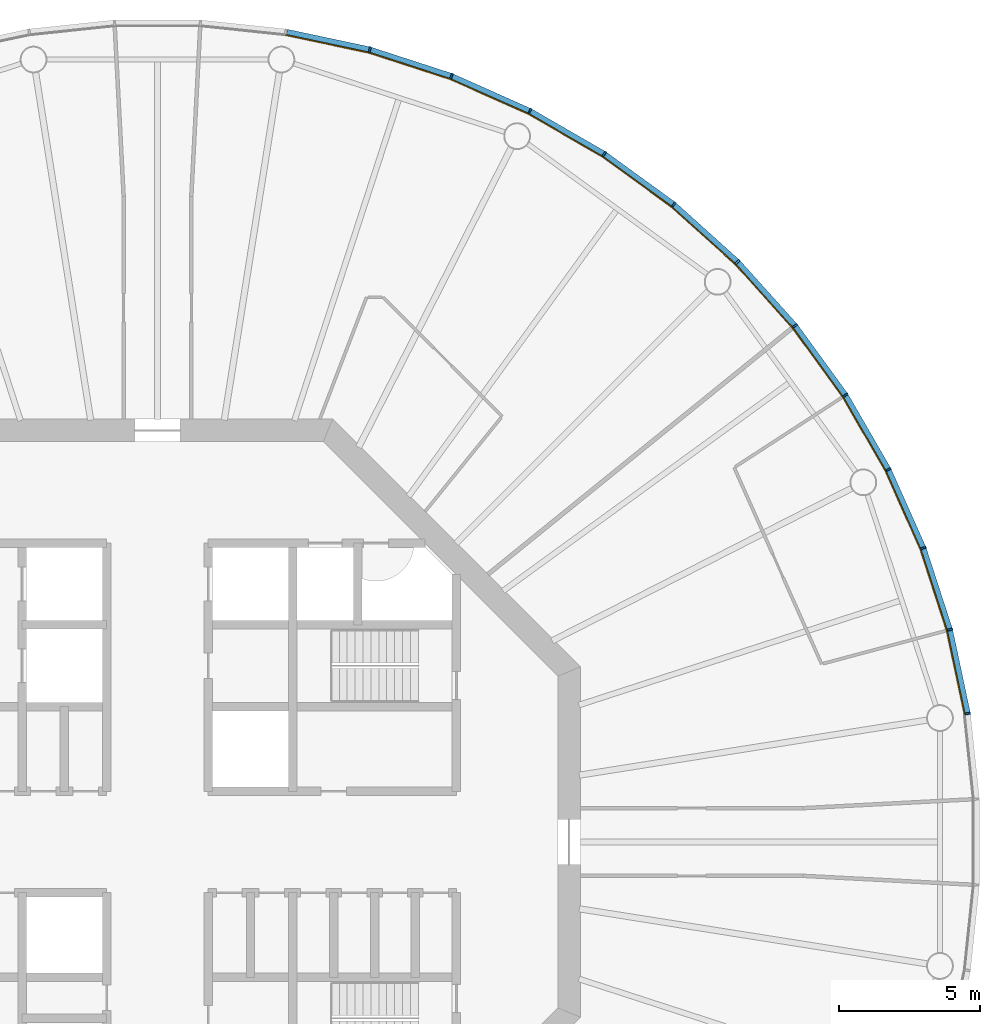
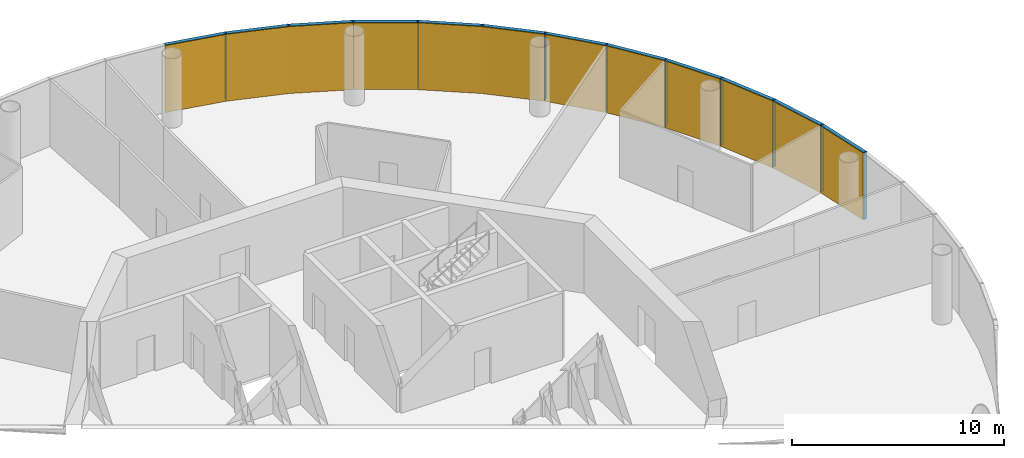
# One storey, part 12 of 13: 24 members, 4 curtain walls.
"""IFC4 building model written with IfcOpenShell, lengths in metres."""

from ifc_helpers import new_model, si_unit, direction, frame, origin, origin_2d, place, context, subcontext, project, spatial, polyline, rectangle, outline, extrude, material, layer, layer_set, material_profile, profile_set, type_object, element, aggregate, save


model = new_model("IFC4")

# Units and contexts
model_context = context("Model", 3, precision=1e-05, world=origin(), true_north=direction((0.0, 1.0)))
body_context = subcontext(model_context, "Body", "Model", "MODEL_VIEW")
ifc_project = project(units=[si_unit("LENGTHUNIT", "METRE"), si_unit("AREAUNIT", "SQUARE_METRE"), si_unit("VOLUMEUNIT", "CUBIC_METRE"), si_unit("PLANEANGLEUNIT", "RADIAN"), si_unit("MASSUNIT", "GRAM", prefix="KILO")], contexts=[model_context])

# Member
ifc_material_1 = material(Name="Anodised aluminium", Category="aluminium")
ifc_material_profile_1 = material_profile(ifc_material_1, rectangle(XDim=0.06494140625, YDim=0.195068359375, at=origin_2d()), Name="Mullion 65 x 195 mm anodised aluminium")
ifc_profile_set_1 = profile_set([ifc_material_profile_1], Name="Anodised aluminium")
member_type_1 = type_object("IfcMemberType", Name="Mullion 65 x 195 mm anodised aluminium", PredefinedType="MULLION", material=ifc_profile_set_1)
site_placement = place(None, origin())
building_placement = place(site_placement, origin())
storey_placement = place(building_placement, frame((0.0, 0.0, 318.0)))
member_1_placement = place(storey_placement, frame((118.7392578125, 84.5517578125, 0.0), z_axis=(0.0, 0.0, 1.0), x_axis=(-0.15643446504, 0.987688340595, 0.0)))
member_1 = element("IfcMember", 1, at=member_1_placement, type_object=member_type_1, Name="MULLION L73-00", PredefinedType="MULLION", context=body_context, shape_type="SweptSolid", body=[
    extrude(rectangle(XDim=0.06494140625, YDim=0.195068359375, at=origin_2d()), origin(), (0.0, 0.0, 1.0), 3.85009765625),
])

member_2_placement = place(storey_placement, frame((118.10595703125, 87.531005859375, 0.0), z_axis=(0.0, 0.0, 1.0), x_axis=(-0.258819045103, 0.965925826289, 0.0)))
member_2 = element("IfcMember", 2, at=member_2_placement, type_object=member_type_1, Name="MULLION L73-01", PredefinedType="MULLION", context=body_context, shape_type="SweptSolid", body=[
    extrude(rectangle(XDim=0.06494140625, YDim=0.195068359375, at=origin_2d()), origin(), (0.0, 0.0, 1.0), 3.85009765625),
])

member_3_placement = place(storey_placement, frame((117.164794921875, 90.427490234375, 0.0), z_axis=(0.0, 0.0, 1.0), x_axis=(-0.358367949545, 0.933580426497, 0.0)))
member_3 = element("IfcMember", 3, at=member_3_placement, type_object=member_type_1, Name="MULLION L73-02", PredefinedType="MULLION", context=body_context, shape_type="SweptSolid", body=[
    extrude(rectangle(XDim=0.06494140625, YDim=0.195068359375, at=origin_2d()), origin(), (0.0, 0.0, 1.0), 3.85009765625),
])

member_4_placement = place(storey_placement, frame((115.926025390625, 93.2099609375, 0.0), z_axis=(0.0, 0.0, 1.0), x_axis=(-0.45399049974, 0.891006524188, 0.0)))
member_4 = element("IfcMember", 4, at=member_4_placement, type_object=member_type_1, Name="MULLION L73-03", PredefinedType="MULLION", context=body_context, shape_type="SweptSolid", body=[
    extrude(rectangle(XDim=0.06494140625, YDim=0.195068359375, at=origin_2d()), origin(), (0.0, 0.0, 1.0), 3.85009765625),
])

member_5_placement = place(storey_placement, frame((114.4033203125, 95.84765625, 0.0), z_axis=(0.0, 0.0, 1.0), x_axis=(-0.544639035015, 0.838670567945, 0.0)))
member_5 = element("IfcMember", 5, at=member_5_placement, type_object=member_type_1, Name="MULLION L73-04", PredefinedType="MULLION", context=body_context, shape_type="SweptSolid", body=[
    extrude(rectangle(XDim=0.06494140625, YDim=0.195068359375, at=origin_2d()), origin(), (0.0, 0.0, 1.0), 3.85009765625),
])

member_6_placement = place(storey_placement, frame((112.613037109375, 98.311767578125, 0.0), z_axis=(0.0, 0.0, 1.0), x_axis=(-0.62932039105, 0.777145961457, 0.0)))
member_6 = element("IfcMember", 6, at=member_6_placement, type_object=member_type_1, Name="MULLION L73-05", PredefinedType="MULLION", context=body_context, shape_type="SweptSolid", body=[
    extrude(rectangle(XDim=0.06494140625, YDim=0.195068359375, at=origin_2d()), origin(), (0.0, 0.0, 1.0), 3.85009765625),
])

member_7_placement = place(storey_placement, frame((110.574951171875, 100.574951171875, 0.0), z_axis=(0.0, 0.0, 1.0), x_axis=(-0.707106781187, 0.707106781187, 0.0)))
member_7 = element("IfcMember", 7, at=member_7_placement, type_object=member_type_1, Name="MULLION L73-06", PredefinedType="MULLION", context=body_context, shape_type="SweptSolid", body=[
    extrude(rectangle(XDim=0.06494140625, YDim=0.195068359375, at=origin_2d()), origin(), (0.0, 0.0, 1.0), 3.85009765625),
])

member_8_placement = place(storey_placement, frame((108.311767578125, 102.613037109375, 0.0), z_axis=(0.0, 0.0, 1.0), x_axis=(-0.777145961457, 0.62932039105, 0.0)))
member_8 = element("IfcMember", 8, at=member_8_placement, type_object=member_type_1, Name="MULLION L73-07", PredefinedType="MULLION", context=body_context, shape_type="SweptSolid", body=[
    extrude(rectangle(XDim=0.06494140625, YDim=0.195068359375, at=origin_2d()), origin(), (0.0, 0.0, 1.0), 3.85009765625),
])

member_9_placement = place(storey_placement, frame((105.84765625, 104.4033203125, 0.0), z_axis=(0.0, 0.0, 1.0), x_axis=(-0.838670567945, 0.544639035015, 0.0)))
member_9 = element("IfcMember", 9, at=member_9_placement, type_object=member_type_1, Name="MULLION L73-08", PredefinedType="MULLION", context=body_context, shape_type="SweptSolid", body=[
    extrude(rectangle(XDim=0.06494140625, YDim=0.195068359375, at=origin_2d()), origin(), (0.0, 0.0, 1.0), 3.85009765625),
])

member_10_placement = place(storey_placement, frame((103.2099609375, 105.926025390625, 0.0), z_axis=(0.0, 0.0, 1.0), x_axis=(-0.891006524188, 0.45399049974, 0.0)))
member_10 = element("IfcMember", 10, at=member_10_placement, type_object=member_type_1, Name="MULLION L73-09", PredefinedType="MULLION", context=body_context, shape_type="SweptSolid", body=[
    extrude(rectangle(XDim=0.06494140625, YDim=0.195068359375, at=origin_2d()), origin(), (0.0, 0.0, 1.0), 3.85009765625),
])

member_11_placement = place(storey_placement, frame((100.427490234375, 107.164794921875, 0.0), z_axis=(0.0, 0.0, 1.0), x_axis=(-0.933580426497, 0.358367949545, 0.0)))
member_11 = element("IfcMember", 11, at=member_11_placement, type_object=member_type_1, Name="MULLION L73-10", PredefinedType="MULLION", context=body_context, shape_type="SweptSolid", body=[
    extrude(rectangle(XDim=0.06494140625, YDim=0.195068359375, at=origin_2d()), origin(), (0.0, 0.0, 1.0), 3.85009765625),
])

member_12_placement = place(storey_placement, frame((97.531005859375, 108.10595703125, 0.0), z_axis=(0.0, 0.0, 1.0), x_axis=(-0.965925826289, 0.258819045103, 0.0)))
member_12 = element("IfcMember", 12, at=member_12_placement, type_object=member_type_1, Name="MULLION L73-11", PredefinedType="MULLION", context=body_context, shape_type="SweptSolid", body=[
    extrude(rectangle(XDim=0.06494140625, YDim=0.195068359375, at=origin_2d()), origin(), (0.0, 0.0, 1.0), 3.85009765625),
])

ifc_material_2 = material(Name="Anodised aluminium", Category="aluminium")
ifc_material_profile_2 = material_profile(ifc_material_2, rectangle(XDim=0.195068359375, YDim=0.179931640625, at=origin_2d()), Name="Transom 180 x 195 mm anodised aluminium")
ifc_profile_set_2 = profile_set([ifc_material_profile_2], Name="Anodised aluminium")
member_type_2 = type_object("IfcMemberType", Name="Transom 180 x 195 mm anodised aluminium", PredefinedType="USERDEFINED", material=ifc_profile_set_2)
member_13_placement = place(storey_placement, frame((118.731689453125, 84.588623046875, 3.760009765625), z_axis=(-0.207940342877, 0.978141510112, 0.0), x_axis=(-0.978141510112, -0.207940342877, 0.0)))
member_13 = element("IfcMember", 13, at=member_13_placement, type_object=member_type_2, Name="TRANSOM L73-00", ObjectType="TRANSOM", PredefinedType="USERDEFINED", context=body_context, shape_type="SweptSolid", body=[
    extrude(rectangle(XDim=0.195068359375, YDim=0.179931640625, at=origin_2d()), origin(), (0.0, 0.0, 1.0), 2.970458984375),
])

member_14_placement = place(storey_placement, frame((118.094482421875, 87.56689453125, 3.760009765625), z_axis=(-0.309043326415, 0.951047960094, 0.0), x_axis=(-0.951047960094, -0.309043326415, 0.0)))
member_14 = element("IfcMember", 14, at=member_14_placement, type_object=member_type_2, Name="TRANSOM L73-01", ObjectType="TRANSOM", PredefinedType="USERDEFINED", context=body_context, shape_type="SweptSolid", body=[
    extrude(rectangle(XDim=0.195068359375, YDim=0.179931640625, at=origin_2d()), origin(), (0.0, 0.0, 1.0), 2.970458984375),
])

member_15_placement = place(storey_placement, frame((117.149658203125, 90.4619140625, 3.760009765625), z_axis=(-0.406725527369, 0.913550406593, 0.0), x_axis=(-0.913550406593, -0.406725527369, 0.0)))
member_15 = element("IfcMember", 15, at=member_15_placement, type_object=member_type_2, Name="TRANSOM L73-02", ObjectType="TRANSOM", PredefinedType="USERDEFINED", context=body_context, shape_type="SweptSolid", body=[
    extrude(rectangle(XDim=0.195068359375, YDim=0.179931640625, at=origin_2d()), origin(), (0.0, 0.0, 1.0), 2.970703125),
])

member_16_placement = place(storey_placement, frame((115.907470703125, 93.24267578125, 3.760009765625), z_axis=(-0.500028367561, 0.866009025146, 0.0), x_axis=(-0.866009025146, -0.500028367561, 0.0)))
member_16 = element("IfcMember", 16, at=member_16_placement, type_object=member_type_2, Name="TRANSOM L73-03", ObjectType="TRANSOM", PredefinedType="USERDEFINED", context=body_context, shape_type="SweptSolid", body=[
    extrude(rectangle(XDim=0.195068359375, YDim=0.179931640625, at=origin_2d()), origin(), (0.0, 0.0, 1.0), 2.970458984375),
])

member_17_placement = place(storey_placement, frame((114.381103515625, 95.878173828125, 3.760009765625), z_axis=(-0.587765987476, 0.809030990733, 0.0), x_axis=(-0.809030990733, -0.587765987476, 0.0)))
member_17 = element("IfcMember", 17, at=member_17_placement, type_object=member_type_2, Name="TRANSOM L73-04", ObjectType="TRANSOM", PredefinedType="USERDEFINED", context=body_context, shape_type="SweptSolid", body=[
    extrude(rectangle(XDim=0.195068359375, YDim=0.179931640625, at=origin_2d()), origin(), (0.0, 0.0, 1.0), 2.97021484375),
])

member_18_placement = place(storey_placement, frame((112.587890625, 98.339599609375, 3.760009765625), z_axis=(-0.669110027395, 0.743163354343, 0.0), x_axis=(-0.743163354343, -0.669110027395, 0.0)))
member_18 = element("IfcMember", 18, at=member_18_placement, type_object=member_type_2, Name="TRANSOM L73-05", ObjectType="TRANSOM", PredefinedType="USERDEFINED", context=body_context, shape_type="SweptSolid", body=[
    extrude(rectangle(XDim=0.195068359375, YDim=0.179931640625, at=origin_2d()), origin(), (0.0, 0.0, 1.0), 2.970458984375),
])

member_19_placement = place(storey_placement, frame((110.547119140625, 100.600341796875, 3.760009765625), z_axis=(-0.743163354343, 0.669110027395, 0.0), x_axis=(-0.669110027395, -0.743163354343, 0.0)))
member_19 = element("IfcMember", 19, at=member_19_placement, type_object=member_type_2, Name="TRANSOM L73-06", ObjectType="TRANSOM", PredefinedType="USERDEFINED", context=body_context, shape_type="SweptSolid", body=[
    extrude(rectangle(XDim=0.195068359375, YDim=0.179931640625, at=origin_2d()), origin(), (0.0, 0.0, 1.0), 2.970458984375),
])

member_20_placement = place(storey_placement, frame((108.28125, 102.63525390625, 3.760009765625), z_axis=(-0.809030990733, 0.587765987476, 0.0), x_axis=(-0.587765987476, -0.809030990733, 0.0)))
member_20 = element("IfcMember", 20, at=member_20_placement, type_object=member_type_2, Name="TRANSOM L73-07", ObjectType="TRANSOM", PredefinedType="USERDEFINED", context=body_context, shape_type="SweptSolid", body=[
    extrude(rectangle(XDim=0.195068359375, YDim=0.179931640625, at=origin_2d()), origin(), (0.0, 0.0, 1.0), 2.97021484375),
])

member_21_placement = place(storey_placement, frame((105.815185546875, 104.422119140625, 3.760009765625), z_axis=(-0.866009025146, 0.500028367561, 0.0), x_axis=(-0.500028367561, -0.866009025146, 0.0)))
member_21 = element("IfcMember", 21, at=member_21_placement, type_object=member_type_2, Name="TRANSOM L73-08", ObjectType="TRANSOM", PredefinedType="USERDEFINED", context=body_context, shape_type="SweptSolid", body=[
    extrude(rectangle(XDim=0.195068359375, YDim=0.179931640625, at=origin_2d()), origin(), (0.0, 0.0, 1.0), 2.970458984375),
])

member_22_placement = place(storey_placement, frame((103.17578125, 105.94140625, 3.760009765625), z_axis=(-0.913550406593, 0.406725527369, 0.0), x_axis=(-0.406725527369, -0.913550406593, 0.0)))
member_22 = element("IfcMember", 22, at=member_22_placement, type_object=member_type_2, Name="TRANSOM L73-09", ObjectType="TRANSOM", PredefinedType="USERDEFINED", context=body_context, shape_type="SweptSolid", body=[
    extrude(rectangle(XDim=0.195068359375, YDim=0.179931640625, at=origin_2d()), origin(), (0.0, 0.0, 1.0), 2.970703125),
])

member_23_placement = place(storey_placement, frame((100.391845703125, 107.176513671875, 3.760009765625), z_axis=(-0.951047960094, 0.309043326415, 0.0), x_axis=(-0.309043326415, -0.951047960094, 0.0)))
member_23 = element("IfcMember", 23, at=member_23_placement, type_object=member_type_2, Name="TRANSOM L73-10", ObjectType="TRANSOM", PredefinedType="USERDEFINED", context=body_context, shape_type="SweptSolid", body=[
    extrude(rectangle(XDim=0.195068359375, YDim=0.179931640625, at=origin_2d()), origin(), (0.0, 0.0, 1.0), 2.970458984375),
])

member_24_placement = place(storey_placement, frame((97.494140625, 108.114013671875, 3.760009765625), z_axis=(-0.978141510112, 0.207940342877, 0.0), x_axis=(-0.207940342877, -0.978141510112, 0.0)))
member_24 = element("IfcMember", 24, at=member_24_placement, type_object=member_type_2, Name="TRANSOM L73-11", ObjectType="TRANSOM", PredefinedType="USERDEFINED", context=body_context, shape_type="SweptSolid", body=[
    extrude(rectangle(XDim=0.195068359375, YDim=0.179931640625, at=origin_2d()), origin(), (0.0, 0.0, 1.0), 2.970458984375),
])

# Site, building, storey
site = spatial("IfcSite", under=ifc_project, at=site_placement, CompositionType="ELEMENT")
building = spatial("IfcBuilding", under=site, at=building_placement, Name="Entoto Ring Tower", CompositionType="ELEMENT")
storey = spatial("IfcBuildingStorey", under=building, at=storey_placement, Name="L73", CompositionType="ELEMENT", Elevation=318.0)

# Curtain wall
ifc_material_3 = material(Name="Clear low-iron glass", Category="glass")
ifc_layer = layer(ifc_material_3, 0.033935546875)
ifc_layer_set = layer_set([ifc_layer], Name="Clear low-iron glass")
curtain_wall_type = type_object("IfcCurtainWallType", Name="Curtain wall system CW5 glazing 34 mm", PredefinedType="NOTDEFINED", material=ifc_layer_set)
curtain_wall_1_placement = place(storey_placement, origin())
curtain_wall_1 = element("IfcCurtainWall", 25, at=curtain_wall_1_placement, inside=storey, type_object=curtain_wall_type, Name="CW5 L73-01", PredefinedType="NOTDEFINED", context=body_context, shape_type="SweptSolid", body=[
    extrude(outline(polyline([(118.64306640625, 84.53662109375), (118.011962890625, 87.505859375), (117.07373046875, 90.392578125), (115.839111328125, 93.165771484375), (115.808837890625, 93.150146484375), (117.0419921875, 90.38037109375), (117.97900390625, 87.496826171875), (118.609375, 84.53125), (118.64306640625, 84.53662109375)])), origin(), (0.0, 0.0, 1.0), 3.85009765625),
])

aggregate(curtain_wall_1, [member_1, member_2, member_3, member_13, member_14, member_15])

curtain_wall_2_placement = place(storey_placement, origin())
curtain_wall_2 = element("IfcCurtainWall", 26, at=curtain_wall_2_placement, inside=storey, type_object=curtain_wall_type, Name="CW5 L73-02", PredefinedType="NOTDEFINED", context=body_context, shape_type="SweptSolid", body=[
    extrude(outline(polyline([(115.839111328125, 93.165771484375), (114.321533203125, 95.79443359375), (112.537353515625, 98.250244140625), (110.506103515625, 100.506103515625), (110.48193359375, 100.48193359375), (112.5107421875, 98.228759765625), (114.29296875, 95.77587890625), (115.808837890625, 93.150146484375), (115.839111328125, 93.165771484375)])), origin(), (0.0, 0.0, 1.0), 3.85009765625),
])

aggregate(curtain_wall_2, [member_4, member_5, member_6, member_16, member_17, member_18])

curtain_wall_3_placement = place(storey_placement, origin())
curtain_wall_3 = element("IfcCurtainWall", 27, at=curtain_wall_3_placement, inside=storey, type_object=curtain_wall_type, Name="CW5 L73-03", PredefinedType="NOTDEFINED", context=body_context, shape_type="SweptSolid", body=[
    extrude(outline(polyline([(110.506103515625, 100.506103515625), (108.250244140625, 102.537353515625), (105.79443359375, 104.321533203125), (103.165771484375, 105.839111328125), (103.150146484375, 105.808837890625), (105.77587890625, 104.29296875), (108.228759765625, 102.5107421875), (110.48193359375, 100.48193359375), (110.506103515625, 100.506103515625)])), origin(), (0.0, 0.0, 1.0), 3.85009765625),
])

aggregate(curtain_wall_3, [member_7, member_8, member_9, member_19, member_20, member_21])

curtain_wall_4_placement = place(storey_placement, origin())
curtain_wall_4 = element("IfcCurtainWall", 28, at=curtain_wall_4_placement, inside=storey, type_object=curtain_wall_type, Name="CW5 L73-04", PredefinedType="NOTDEFINED", context=body_context, shape_type="SweptSolid", body=[
    extrude(outline(polyline([(103.165771484375, 105.839111328125), (100.392578125, 107.07373046875), (97.505859375, 108.011962890625), (94.53662109375, 108.64306640625), (94.53125, 108.609375), (97.496826171875, 107.97900390625), (100.38037109375, 107.0419921875), (103.150146484375, 105.808837890625), (103.165771484375, 105.839111328125)])), origin(), (0.0, 0.0, 1.0), 3.85009765625),
])

aggregate(curtain_wall_4, [member_10, member_11, member_12, member_22, member_23, member_24])

save(model, "model.ifc")
